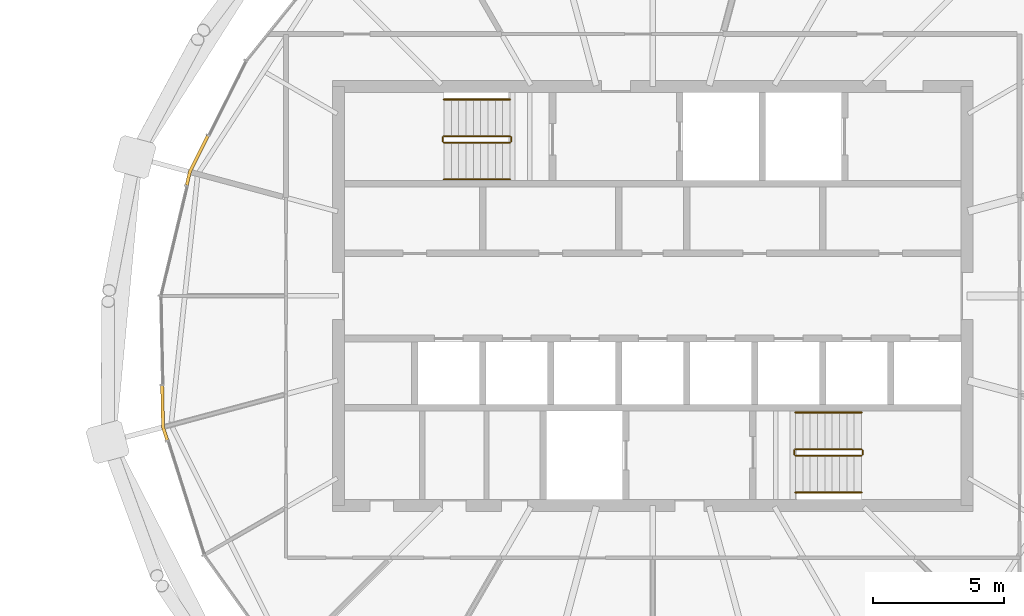
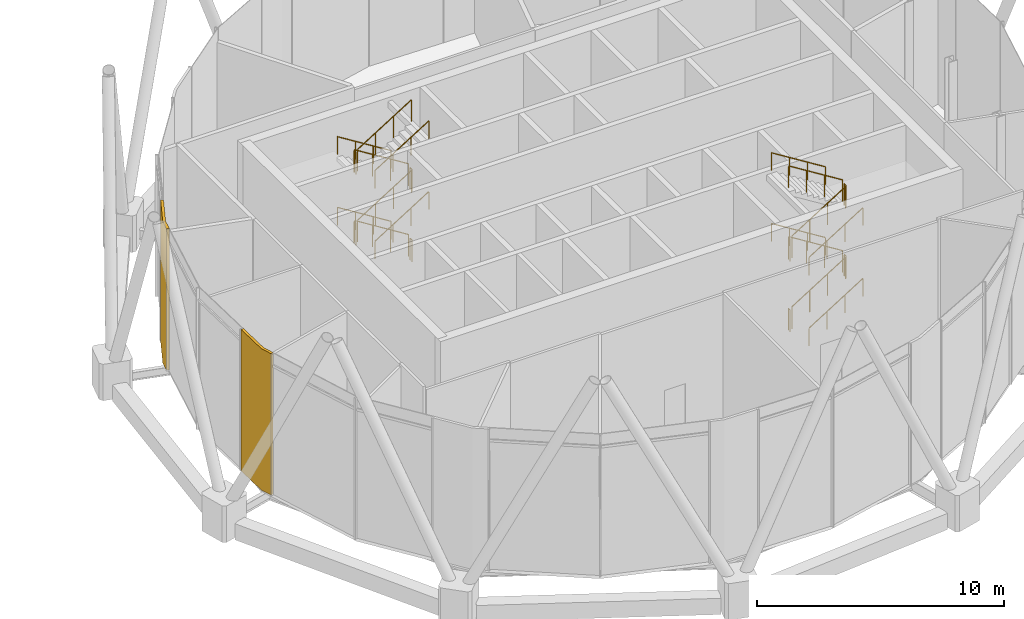
# One storey, part 27 of 28: 24 railings, 2 coverings.
"""IFC4 building model written with IfcOpenShell, lengths in metres."""

from ifc_helpers import new_model, si_unit, direction, frame, origin, origin_2d, place, context, subcontext, project, spatial, polyline, circle, outline, extrude, material, layer, layer_set, type_object, element, save


model = new_model("IFC4")

# Units and contexts
model_context = context("Model", 3, precision=1e-05, world=origin(), true_north=direction((0.0, 1.0)))
body_context = subcontext(model_context, "Body", "Model", "MODEL_VIEW")
ifc_project = project(units=[si_unit("LENGTHUNIT", "METRE"), si_unit("AREAUNIT", "SQUARE_METRE"), si_unit("VOLUMEUNIT", "CUBIC_METRE"), si_unit("PLANEANGLEUNIT", "RADIAN"), si_unit("MASSUNIT", "GRAM", prefix="KILO")], contexts=[model_context])

# Site, building, storey
site_placement = place(None, origin())
site = spatial("IfcSite", under=ifc_project, at=site_placement, CompositionType="ELEMENT")
building_placement = place(site_placement, origin())
building = spatial("IfcBuilding", under=site, at=building_placement, Name="Rimbun Link Towers", CompositionType="ELEMENT")
storey_placement = place(building_placement, frame((0.0, 0.0, 256.10009765625)))
storey = spatial("IfcBuildingStorey", under=building, at=storey_placement, Name="L63", CompositionType="ELEMENT", Elevation=256.10009765625)

# Coverings
ifc_material_1 = material(Name="Terracotta", Category="masonry")
ifc_layer = layer(ifc_material_1, 0.1201171875)
ifc_layer_set = layer_set([ifc_layer], Name="LINK PIER terracotta cladding 120")
covering_type = type_object("IfcCoveringType", Name="LINK PIER terracotta cladding 120", PredefinedType="CLADDING", material=ifc_layer_set)
covering_1_placement = place(storey_placement, origin())
element("IfcCovering", 1, at=covering_1_placement, inside=storey, type_object=covering_type, Name="LINK PIER cladding", PredefinedType="CLADDING", context=body_context, shape_type="SweptSolid", body=[
    extrude(outline(polyline([(14.017822265625, 4.213134765625), (14.138671875, 4.718994140625), (14.82080078125, 6.0771484375), (14.713623046875, 6.131103515625), (14.025146484375, 4.76025390625), (13.901123046875, 4.240966796875), (14.017822265625, 4.213134765625)])), origin(), (0.0, 0.0, 1.0), 7.0),
])
covering_2_placement = place(storey_placement, origin())
element("IfcCovering", 2, at=covering_2_placement, inside=storey, type_object=covering_type, Name="LINK PIER cladding", PredefinedType="CLADDING", context=body_context, shape_type="SweptSolid", body=[
    extrude(outline(polyline([(13.27294921875, -5.488525390625), (13.115234375, -4.9931640625), (13.082275390625, -3.42333984375), (12.962158203125, -3.426025390625), (12.99560546875, -5.012939453125), (13.158447265625, -5.52490234375), (13.27294921875, -5.488525390625)])), origin(), (0.0, 0.0, 1.0), 7.0),
])

# Railings
ifc_material_2 = material(Name="Stainless steel grade 316", Category="steel")
railing_type_1 = type_object("IfcRailingType", Name="Stair guard", PredefinedType="GUARDRAIL", material=ifc_material_2)
railing_1_placement = place(storey_placement, frame((26.300048828125, 6.10009765625, 0.1748046875)))
element("IfcRailing", 3, at=railing_1_placement, inside=storey, type_object=railing_type_1, Name="L63 ST3 stair guard 1", PredefinedType="GUARDRAIL", context=body_context, shape_type="SweptSolid", body=[
    extrude(circle(Radius=0.02392578125, at=origin_2d()), frame((0.0, 0.0, 1.076171875), z_axis=(-0.847970611238, 0.0, 0.530043245855), x_axis=(0.0, -1.0, 0.0)), (0.0, 0.0, 1.0), 2.971923828125),
    extrude(circle(Radius=0.02099609375, at=origin_2d()), origin(), (0.0, 0.0, 1.0), 1.052001953125),
    extrude(circle(Radius=0.02099609375, at=origin_2d()), frame((-0.840087890625, 0.0, 0.525146484375)), (0.0, 0.0, 1.0), 1.052001953125),
    extrude(circle(Radius=0.02099609375, at=origin_2d()), frame((-1.679931640625, 0.0, 1.050048828125)), (0.0, 0.0, 1.0), 1.052001953125),
    extrude(circle(Radius=0.02099609375, at=origin_2d()), frame((-2.52001953125, 0.0, 1.5751953125)), (0.0, 0.0, 1.0), 1.052001953125),
])
railing_2_placement = place(storey_placement, frame((23.72998046875, 6.050048828125, 1.75)))
element("IfcRailing", 4, at=railing_2_placement, inside=storey, type_object=railing_type_1, Name="L63 ST3 stair guard 2", PredefinedType="GUARDRAIL", context=body_context, shape_type="SweptSolid", body=[
    extrude(circle(Radius=0.02392578125, at=origin_2d()), frame((0.0, 0.0, 1.076171875), z_axis=(0.0, -1.0, 0.0), x_axis=(1.0, 0.0, 0.0)), (0.0, 0.0, 1.0), 0.150146484375),
    extrude(circle(Radius=0.02099609375, at=origin_2d()), origin(), (0.0, 0.0, 1.0), 1.052001953125),
    extrude(circle(Radius=0.02099609375, at=origin_2d()), frame((0.0, -0.150146484375, 0.0)), (0.0, 0.0, 1.0), 1.052001953125),
])
railing_3_placement = place(storey_placement, frame((23.780029296875, 5.85009765625, 1.9248046875)))
element("IfcRailing", 5, at=railing_3_placement, inside=storey, type_object=railing_type_1, Name="L63 ST3 stair guard 3", PredefinedType="GUARDRAIL", context=body_context, shape_type="SweptSolid", body=[
    extrude(circle(Radius=0.02392578125, at=origin_2d()), frame((0.0, 0.0, 1.076171875), z_axis=(0.847970611238, 0.0, 0.530043245855), x_axis=(0.0, 1.0, 0.0)), (0.0, 0.0, 1.0), 2.971923828125),
    extrude(circle(Radius=0.02099609375, at=origin_2d()), origin(), (0.0, 0.0, 1.0), 1.052001953125),
    extrude(circle(Radius=0.02099609375, at=origin_2d()), frame((0.840087890625, 0.0, 0.525146484375)), (0.0, 0.0, 1.0), 1.052001953125),
    extrude(circle(Radius=0.02099609375, at=origin_2d()), frame((1.679931640625, 0.0, 1.050048828125)), (0.0, 0.0, 1.0), 1.052001953125),
    extrude(circle(Radius=0.02099609375, at=origin_2d()), frame((2.52001953125, 0.0, 1.5751953125)), (0.0, 0.0, 1.0), 1.052001953125),
])
railing_4_placement = place(storey_placement, frame((26.35009765625, 6.050048828125, 3.5)))
element("IfcRailing", 6, at=railing_4_placement, inside=storey, type_object=railing_type_1, Name="L63 ST3 stair guard 4", PredefinedType="GUARDRAIL", context=body_context, shape_type="SweptSolid", body=[
    extrude(circle(Radius=0.02392578125, at=origin_2d()), frame((0.0, 0.0, 1.076171875), z_axis=(0.0, -1.0, 0.0), x_axis=(1.0, 0.0, 0.0)), (0.0, 0.0, 1.0), 0.150146484375),
    extrude(circle(Radius=0.02099609375, at=origin_2d()), origin(), (0.0, 0.0, 1.0), 1.052001953125),
    extrude(circle(Radius=0.02099609375, at=origin_2d()), frame((0.0, -0.150146484375, 0.0)), (0.0, 0.0, 1.0), 1.052001953125),
])
railing_5_placement = place(storey_placement, frame((26.300048828125, 6.10009765625, 3.6748046875)))
element("IfcRailing", 7, at=railing_5_placement, inside=storey, type_object=railing_type_1, Name="L63 ST3 stair guard 5", PredefinedType="GUARDRAIL", context=body_context, shape_type="SweptSolid", body=[
    extrude(circle(Radius=0.02392578125, at=origin_2d()), frame((0.0, 0.0, 1.076171875), z_axis=(-0.847970611238, 0.0, 0.530043245855), x_axis=(0.0, -1.0, 0.0)), (0.0, 0.0, 1.0), 2.971923828125),
    extrude(circle(Radius=0.02099609375, at=origin_2d()), origin(), (0.0, 0.0, 1.0), 1.052001953125),
    extrude(circle(Radius=0.02099609375, at=origin_2d()), frame((-0.840087890625, 0.0, 0.525146484375)), (0.0, 0.0, 1.0), 1.052001953125),
    extrude(circle(Radius=0.02099609375, at=origin_2d()), frame((-1.679931640625, 0.0, 1.050048828125)), (0.0, 0.0, 1.0), 1.052001953125),
    extrude(circle(Radius=0.02099609375, at=origin_2d()), frame((-2.52001953125, 0.0, 1.5751953125)), (0.0, 0.0, 1.0), 1.052001953125),
])
railing_6_placement = place(storey_placement, frame((23.72998046875, 6.050048828125, 5.25)))
element("IfcRailing", 8, at=railing_6_placement, inside=storey, type_object=railing_type_1, Name="L63 ST3 stair guard 6", PredefinedType="GUARDRAIL", context=body_context, shape_type="SweptSolid", body=[
    extrude(circle(Radius=0.02392578125, at=origin_2d()), frame((0.0, 0.0, 1.076171875), z_axis=(0.0, -1.0, 0.0), x_axis=(1.0, 0.0, 0.0)), (0.0, 0.0, 1.0), 0.150146484375),
    extrude(circle(Radius=0.02099609375, at=origin_2d()), origin(), (0.0, 0.0, 1.0), 1.052001953125),
    extrude(circle(Radius=0.02099609375, at=origin_2d()), frame((0.0, -0.150146484375, 0.0)), (0.0, 0.0, 1.0), 1.052001953125),
])
railing_7_placement = place(storey_placement, frame((23.780029296875, 5.85009765625, 5.4248046875)))
element("IfcRailing", 9, at=railing_7_placement, inside=storey, type_object=railing_type_1, Name="L63 ST3 stair guard 7", PredefinedType="GUARDRAIL", context=body_context, shape_type="SweptSolid", body=[
    extrude(circle(Radius=0.02392578125, at=origin_2d()), frame((0.0, 0.0, 1.076171875), z_axis=(0.847970611238, 0.0, 0.530043245855), x_axis=(0.0, 1.0, 0.0)), (0.0, 0.0, 1.0), 2.971923828125),
    extrude(circle(Radius=0.02099609375, at=origin_2d()), origin(), (0.0, 0.0, 1.0), 1.052001953125),
    extrude(circle(Radius=0.02099609375, at=origin_2d()), frame((0.840087890625, 0.0, 0.525146484375)), (0.0, 0.0, 1.0), 1.052001953125),
    extrude(circle(Radius=0.02099609375, at=origin_2d()), frame((1.679931640625, 0.0, 1.050048828125)), (0.0, 0.0, 1.0), 1.052001953125),
    extrude(circle(Radius=0.02099609375, at=origin_2d()), frame((2.52001953125, 0.0, 1.5751953125)), (0.0, 0.0, 1.0), 1.052001953125),
])
railing_8_placement = place(storey_placement, frame((26.35009765625, 6.050048828125, 0.0)))
element("IfcRailing", 10, at=railing_8_placement, inside=storey, type_object=railing_type_1, Name="L63 ST3 stair guard 8", PredefinedType="GUARDRAIL", context=body_context, shape_type="SweptSolid", body=[
    extrude(circle(Radius=0.02392578125, at=origin_2d()), frame((0.0, 0.0, 1.076171875), z_axis=(0.0, -1.0, 0.0), x_axis=(1.0, 0.0, 0.0)), (0.0, 0.0, 1.0), 0.150146484375),
    extrude(circle(Radius=0.02099609375, at=origin_2d()), origin(), (0.0, 0.0, 1.0), 1.052001953125),
    extrude(circle(Radius=0.02099609375, at=origin_2d()), frame((0.0, -0.150146484375, 0.0)), (0.0, 0.0, 1.0), 1.052001953125),
])
railing_9_placement = place(storey_placement, frame((37.199951171875, -6.10009765625, 0.1748046875)))
element("IfcRailing", 11, at=railing_9_placement, inside=storey, type_object=railing_type_1, Name="L63 ST4 stair guard 1", PredefinedType="GUARDRAIL", context=body_context, shape_type="SweptSolid", body=[
    extrude(circle(Radius=0.02392578125, at=origin_2d()), frame((0.0, 0.0, 1.076171875), z_axis=(0.847970611238, 0.0, 0.530043245855), x_axis=(0.0, 1.0, 0.0)), (0.0, 0.0, 1.0), 2.971923828125),
    extrude(circle(Radius=0.02099609375, at=origin_2d()), origin(), (0.0, 0.0, 1.0), 1.052001953125),
    extrude(circle(Radius=0.02099609375, at=origin_2d()), frame((0.840087890625, 0.0, 0.525146484375)), (0.0, 0.0, 1.0), 1.052001953125),
    extrude(circle(Radius=0.02099609375, at=origin_2d()), frame((1.679931640625, 0.0, 1.050048828125)), (0.0, 0.0, 1.0), 1.052001953125),
    extrude(circle(Radius=0.02099609375, at=origin_2d()), frame((2.52001953125, 0.0, 1.5751953125)), (0.0, 0.0, 1.0), 1.052001953125),
])
railing_10_placement = place(storey_placement, frame((39.77001953125, -6.050048828125, 1.75)))
element("IfcRailing", 12, at=railing_10_placement, inside=storey, type_object=railing_type_1, Name="L63 ST4 stair guard 2", PredefinedType="GUARDRAIL", context=body_context, shape_type="SweptSolid", body=[
    extrude(circle(Radius=0.02392578125, at=origin_2d()), frame((0.0, 0.0, 1.076171875), z_axis=(0.0, 1.0, 0.0), x_axis=(-1.0, 0.0, 0.0)), (0.0, 0.0, 1.0), 0.150146484375),
    extrude(circle(Radius=0.02099609375, at=origin_2d()), origin(), (0.0, 0.0, 1.0), 1.052001953125),
    extrude(circle(Radius=0.02099609375, at=origin_2d()), frame((0.0, 0.150146484375, 0.0)), (0.0, 0.0, 1.0), 1.052001953125),
])
railing_11_placement = place(storey_placement, frame((39.719970703125, -5.85009765625, 1.9248046875)))
element("IfcRailing", 13, at=railing_11_placement, inside=storey, type_object=railing_type_1, Name="L63 ST4 stair guard 3", PredefinedType="GUARDRAIL", context=body_context, shape_type="SweptSolid", body=[
    extrude(circle(Radius=0.02392578125, at=origin_2d()), frame((0.0, 0.0, 1.076171875), z_axis=(-0.847970611238, 0.0, 0.530043245855), x_axis=(0.0, -1.0, 0.0)), (0.0, 0.0, 1.0), 2.971923828125),
    extrude(circle(Radius=0.02099609375, at=origin_2d()), origin(), (0.0, 0.0, 1.0), 1.052001953125),
    extrude(circle(Radius=0.02099609375, at=origin_2d()), frame((-0.840087890625, 0.0, 0.525146484375)), (0.0, 0.0, 1.0), 1.052001953125),
    extrude(circle(Radius=0.02099609375, at=origin_2d()), frame((-1.679931640625, 0.0, 1.050048828125)), (0.0, 0.0, 1.0), 1.052001953125),
    extrude(circle(Radius=0.02099609375, at=origin_2d()), frame((-2.52001953125, 0.0, 1.5751953125)), (0.0, 0.0, 1.0), 1.052001953125),
])
railing_12_placement = place(storey_placement, frame((37.14990234375, -6.050048828125, 3.5)))
element("IfcRailing", 14, at=railing_12_placement, inside=storey, type_object=railing_type_1, Name="L63 ST4 stair guard 4", PredefinedType="GUARDRAIL", context=body_context, shape_type="SweptSolid", body=[
    extrude(circle(Radius=0.02392578125, at=origin_2d()), frame((0.0, 0.0, 1.076171875), z_axis=(0.0, 1.0, 0.0), x_axis=(-1.0, 0.0, 0.0)), (0.0, 0.0, 1.0), 0.150146484375),
    extrude(circle(Radius=0.02099609375, at=origin_2d()), origin(), (0.0, 0.0, 1.0), 1.052001953125),
    extrude(circle(Radius=0.02099609375, at=origin_2d()), frame((0.0, 0.150146484375, 0.0)), (0.0, 0.0, 1.0), 1.052001953125),
])
railing_13_placement = place(storey_placement, frame((37.199951171875, -6.10009765625, 3.6748046875)))
element("IfcRailing", 15, at=railing_13_placement, inside=storey, type_object=railing_type_1, Name="L63 ST4 stair guard 5", PredefinedType="GUARDRAIL", context=body_context, shape_type="SweptSolid", body=[
    extrude(circle(Radius=0.02392578125, at=origin_2d()), frame((0.0, 0.0, 1.076171875), z_axis=(0.847970611238, 0.0, 0.530043245855), x_axis=(0.0, 1.0, 0.0)), (0.0, 0.0, 1.0), 2.971923828125),
    extrude(circle(Radius=0.02099609375, at=origin_2d()), origin(), (0.0, 0.0, 1.0), 1.052001953125),
    extrude(circle(Radius=0.02099609375, at=origin_2d()), frame((0.840087890625, 0.0, 0.525146484375)), (0.0, 0.0, 1.0), 1.052001953125),
    extrude(circle(Radius=0.02099609375, at=origin_2d()), frame((1.679931640625, 0.0, 1.050048828125)), (0.0, 0.0, 1.0), 1.052001953125),
    extrude(circle(Radius=0.02099609375, at=origin_2d()), frame((2.52001953125, 0.0, 1.5751953125)), (0.0, 0.0, 1.0), 1.052001953125),
])
railing_14_placement = place(storey_placement, frame((39.77001953125, -6.050048828125, 5.25)))
element("IfcRailing", 16, at=railing_14_placement, inside=storey, type_object=railing_type_1, Name="L63 ST4 stair guard 6", PredefinedType="GUARDRAIL", context=body_context, shape_type="SweptSolid", body=[
    extrude(circle(Radius=0.02392578125, at=origin_2d()), frame((0.0, 0.0, 1.076171875), z_axis=(0.0, 1.0, 0.0), x_axis=(-1.0, 0.0, 0.0)), (0.0, 0.0, 1.0), 0.150146484375),
    extrude(circle(Radius=0.02099609375, at=origin_2d()), origin(), (0.0, 0.0, 1.0), 1.052001953125),
    extrude(circle(Radius=0.02099609375, at=origin_2d()), frame((0.0, 0.150146484375, 0.0)), (0.0, 0.0, 1.0), 1.052001953125),
])
railing_15_placement = place(storey_placement, frame((39.719970703125, -5.85009765625, 5.4248046875)))
element("IfcRailing", 17, at=railing_15_placement, inside=storey, type_object=railing_type_1, Name="L63 ST4 stair guard 7", PredefinedType="GUARDRAIL", context=body_context, shape_type="SweptSolid", body=[
    extrude(circle(Radius=0.02392578125, at=origin_2d()), frame((0.0, 0.0, 1.076171875), z_axis=(-0.847970611238, 0.0, 0.530043245855), x_axis=(0.0, -1.0, 0.0)), (0.0, 0.0, 1.0), 2.971923828125),
    extrude(circle(Radius=0.02099609375, at=origin_2d()), origin(), (0.0, 0.0, 1.0), 1.052001953125),
    extrude(circle(Radius=0.02099609375, at=origin_2d()), frame((-0.840087890625, 0.0, 0.525146484375)), (0.0, 0.0, 1.0), 1.052001953125),
    extrude(circle(Radius=0.02099609375, at=origin_2d()), frame((-1.679931640625, 0.0, 1.050048828125)), (0.0, 0.0, 1.0), 1.052001953125),
    extrude(circle(Radius=0.02099609375, at=origin_2d()), frame((-2.52001953125, 0.0, 1.5751953125)), (0.0, 0.0, 1.0), 1.052001953125),
])
railing_16_placement = place(storey_placement, frame((37.14990234375, -6.050048828125, 0.0)))
element("IfcRailing", 18, at=railing_16_placement, inside=storey, type_object=railing_type_1, Name="L63 ST4 stair guard 8", PredefinedType="GUARDRAIL", context=body_context, shape_type="SweptSolid", body=[
    extrude(circle(Radius=0.02392578125, at=origin_2d()), frame((0.0, 0.0, 1.076171875), z_axis=(0.0, 1.0, 0.0), x_axis=(-1.0, 0.0, 0.0)), (0.0, 0.0, 1.0), 0.150146484375),
    extrude(circle(Radius=0.02099609375, at=origin_2d()), origin(), (0.0, 0.0, 1.0), 1.052001953125),
    extrude(circle(Radius=0.02099609375, at=origin_2d()), frame((0.0, 0.150146484375, 0.0)), (0.0, 0.0, 1.0), 1.052001953125),
])
ifc_material_3 = material(Name="Stainless steel grade 316", Category="steel")
railing_type_2 = type_object("IfcRailingType", Name="Stair handrail", PredefinedType="HANDRAIL", material=ifc_material_3)
railing_17_placement = place(storey_placement, frame((26.300048828125, 7.5, 0.1748046875)))
element("IfcRailing", 19, at=railing_17_placement, inside=storey, type_object=railing_type_2, Name="L63 ST3 stair handrail 1", PredefinedType="HANDRAIL", context=body_context, shape_type="SweptSolid", body=[
    extrude(circle(Radius=0.02392578125, at=origin_2d()), frame((0.0, 0.0, 0.8759765625), z_axis=(-0.847970611238, 0.0, 0.530043245855), x_axis=(0.0, -1.0, 0.0)), (0.0, 0.0, 1.0), 2.971923828125),
    extrude(circle(Radius=0.02099609375, at=origin_2d()), origin(), (0.0, 0.0, 1.0), 0.851806640625),
    extrude(circle(Radius=0.02099609375, at=origin_2d()), frame((-0.840087890625, 0.0, 0.525146484375)), (0.0, 0.0, 1.0), 0.851806640625),
    extrude(circle(Radius=0.02099609375, at=origin_2d()), frame((-1.679931640625, 0.0, 1.050048828125)), (0.0, 0.0, 1.0), 0.851806640625),
    extrude(circle(Radius=0.02099609375, at=origin_2d()), frame((-2.52001953125, 0.0, 1.5751953125)), (0.0, 0.0, 1.0), 0.851806640625),
])
railing_18_placement = place(storey_placement, frame((23.780029296875, 4.449951171875, 1.9248046875)))
element("IfcRailing", 20, at=railing_18_placement, inside=storey, type_object=railing_type_2, Name="L63 ST3 stair handrail 2", PredefinedType="HANDRAIL", context=body_context, shape_type="SweptSolid", body=[
    extrude(circle(Radius=0.02392578125, at=origin_2d()), frame((0.0, 0.0, 0.8759765625), z_axis=(0.847970611238, 0.0, 0.530043245855), x_axis=(0.0, 1.0, 0.0)), (0.0, 0.0, 1.0), 2.971923828125),
    extrude(circle(Radius=0.02099609375, at=origin_2d()), origin(), (0.0, 0.0, 1.0), 0.851806640625),
    extrude(circle(Radius=0.02099609375, at=origin_2d()), frame((0.840087890625, 0.0, 0.525146484375)), (0.0, 0.0, 1.0), 0.851806640625),
    extrude(circle(Radius=0.02099609375, at=origin_2d()), frame((1.679931640625, 0.0, 1.050048828125)), (0.0, 0.0, 1.0), 0.851806640625),
    extrude(circle(Radius=0.02099609375, at=origin_2d()), frame((2.52001953125, 0.0, 1.5751953125)), (0.0, 0.0, 1.0), 0.851806640625),
])
railing_19_placement = place(storey_placement, frame((26.300048828125, 7.5, 3.6748046875)))
element("IfcRailing", 21, at=railing_19_placement, inside=storey, type_object=railing_type_2, Name="L63 ST3 stair handrail 3", PredefinedType="HANDRAIL", context=body_context, shape_type="SweptSolid", body=[
    extrude(circle(Radius=0.02392578125, at=origin_2d()), frame((0.0, 0.0, 0.8759765625), z_axis=(-0.847970611238, 0.0, 0.530043245855), x_axis=(0.0, -1.0, 0.0)), (0.0, 0.0, 1.0), 2.971923828125),
    extrude(circle(Radius=0.02099609375, at=origin_2d()), origin(), (0.0, 0.0, 1.0), 0.851806640625),
    extrude(circle(Radius=0.02099609375, at=origin_2d()), frame((-0.840087890625, 0.0, 0.525146484375)), (0.0, 0.0, 1.0), 0.851806640625),
    extrude(circle(Radius=0.02099609375, at=origin_2d()), frame((-1.679931640625, 0.0, 1.050048828125)), (0.0, 0.0, 1.0), 0.851806640625),
    extrude(circle(Radius=0.02099609375, at=origin_2d()), frame((-2.52001953125, 0.0, 1.5751953125)), (0.0, 0.0, 1.0), 0.851806640625),
])
for number, where, name in (
    (22, (23.780029296875, 4.449951171875, 5.4248046875), "L63 ST3 stair handrail 4"),
    (23, (37.199951171875, -7.5, 0.1748046875), "L63 ST4 stair handrail 1"),
):
    element("IfcRailing", number, at=place(storey_placement, frame(where)), inside=storey, type_object=railing_type_2, Name=name, PredefinedType="HANDRAIL", context=body_context, shape_type="SweptSolid", body=[
        extrude(circle(Radius=0.02392578125, at=origin_2d()), frame((0.0, 0.0, 0.8759765625), z_axis=(0.847970611238, 0.0, 0.530043245855), x_axis=(0.0, 1.0, 0.0)), (0.0, 0.0, 1.0), 2.971923828125),
        extrude(circle(Radius=0.02099609375, at=origin_2d()), origin(), (0.0, 0.0, 1.0), 0.851806640625),
        extrude(circle(Radius=0.02099609375, at=origin_2d()), frame((0.840087890625, 0.0, 0.525146484375)), (0.0, 0.0, 1.0), 0.851806640625),
        extrude(circle(Radius=0.02099609375, at=origin_2d()), frame((1.679931640625, 0.0, 1.050048828125)), (0.0, 0.0, 1.0), 0.851806640625),
        extrude(circle(Radius=0.02099609375, at=origin_2d()), frame((2.52001953125, 0.0, 1.5751953125)), (0.0, 0.0, 1.0), 0.851806640625),
    ])
railing_20_placement = place(storey_placement, frame((39.719970703125, -4.449951171875, 1.9248046875)))
element("IfcRailing", 24, at=railing_20_placement, inside=storey, type_object=railing_type_2, Name="L63 ST4 stair handrail 2", PredefinedType="HANDRAIL", context=body_context, shape_type="SweptSolid", body=[
    extrude(circle(Radius=0.02392578125, at=origin_2d()), frame((0.0, 0.0, 0.8759765625), z_axis=(-0.847970611238, 0.0, 0.530043245855), x_axis=(0.0, -1.0, 0.0)), (0.0, 0.0, 1.0), 2.971923828125),
    extrude(circle(Radius=0.02099609375, at=origin_2d()), origin(), (0.0, 0.0, 1.0), 0.851806640625),
    extrude(circle(Radius=0.02099609375, at=origin_2d()), frame((-0.840087890625, 0.0, 0.525146484375)), (0.0, 0.0, 1.0), 0.851806640625),
    extrude(circle(Radius=0.02099609375, at=origin_2d()), frame((-1.679931640625, 0.0, 1.050048828125)), (0.0, 0.0, 1.0), 0.851806640625),
    extrude(circle(Radius=0.02099609375, at=origin_2d()), frame((-2.52001953125, 0.0, 1.5751953125)), (0.0, 0.0, 1.0), 0.851806640625),
])
railing_21_placement = place(storey_placement, frame((37.199951171875, -7.5, 3.6748046875)))
element("IfcRailing", 25, at=railing_21_placement, inside=storey, type_object=railing_type_2, Name="L63 ST4 stair handrail 3", PredefinedType="HANDRAIL", context=body_context, shape_type="SweptSolid", body=[
    extrude(circle(Radius=0.02392578125, at=origin_2d()), frame((0.0, 0.0, 0.8759765625), z_axis=(0.847970611238, 0.0, 0.530043245855), x_axis=(0.0, 1.0, 0.0)), (0.0, 0.0, 1.0), 2.971923828125),
    extrude(circle(Radius=0.02099609375, at=origin_2d()), origin(), (0.0, 0.0, 1.0), 0.851806640625),
    extrude(circle(Radius=0.02099609375, at=origin_2d()), frame((0.840087890625, 0.0, 0.525146484375)), (0.0, 0.0, 1.0), 0.851806640625),
    extrude(circle(Radius=0.02099609375, at=origin_2d()), frame((1.679931640625, 0.0, 1.050048828125)), (0.0, 0.0, 1.0), 0.851806640625),
    extrude(circle(Radius=0.02099609375, at=origin_2d()), frame((2.52001953125, 0.0, 1.5751953125)), (0.0, 0.0, 1.0), 0.851806640625),
])
railing_22_placement = place(storey_placement, frame((39.719970703125, -4.449951171875, 5.4248046875)))
element("IfcRailing", 26, at=railing_22_placement, inside=storey, type_object=railing_type_2, Name="L63 ST4 stair handrail 4", PredefinedType="HANDRAIL", context=body_context, shape_type="SweptSolid", body=[
    extrude(circle(Radius=0.02392578125, at=origin_2d()), frame((0.0, 0.0, 0.8759765625), z_axis=(-0.847970611238, 0.0, 0.530043245855), x_axis=(0.0, -1.0, 0.0)), (0.0, 0.0, 1.0), 2.971923828125),
    extrude(circle(Radius=0.02099609375, at=origin_2d()), origin(), (0.0, 0.0, 1.0), 0.851806640625),
    extrude(circle(Radius=0.02099609375, at=origin_2d()), frame((-0.840087890625, 0.0, 0.525146484375)), (0.0, 0.0, 1.0), 0.851806640625),
    extrude(circle(Radius=0.02099609375, at=origin_2d()), frame((-1.679931640625, 0.0, 1.050048828125)), (0.0, 0.0, 1.0), 0.851806640625),
    extrude(circle(Radius=0.02099609375, at=origin_2d()), frame((-2.52001953125, 0.0, 1.5751953125)), (0.0, 0.0, 1.0), 0.851806640625),
])

save(model, "model.ifc")
